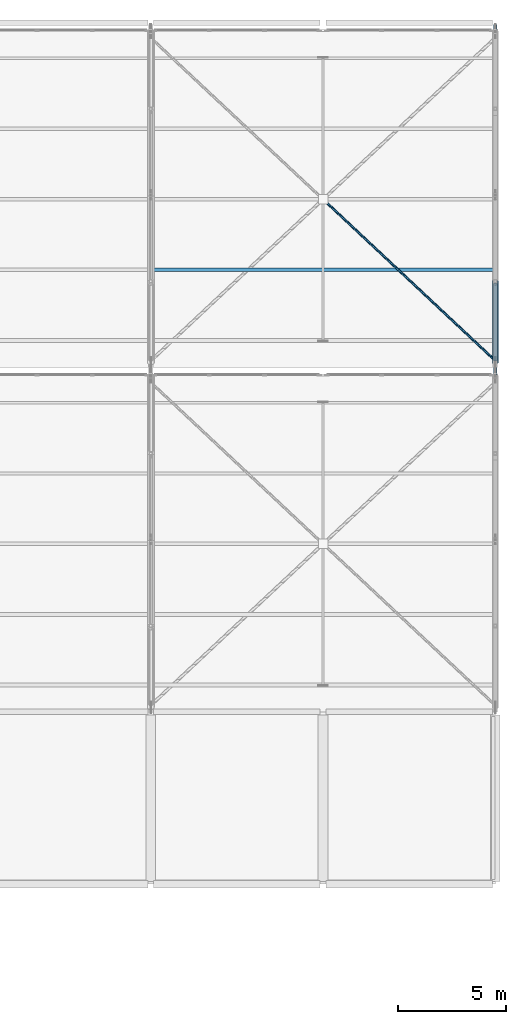
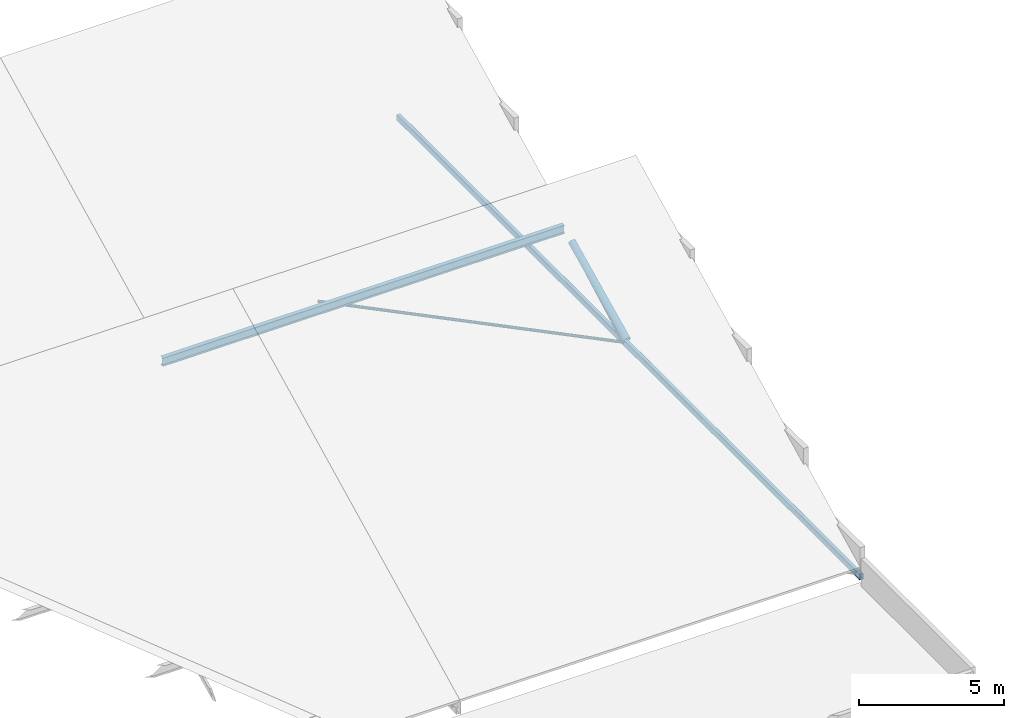
# One storey, part 86 of 137: 4 members, 1 beam.
"""IFC4 building model written with IfcOpenShell, lengths in metres."""

from ifc_helpers import new_model, si_unit, direction, frame, origin, origin_2d, place, context, subcontext, project, spatial, hollow_rectangle, hollow_circle, i_section, extrude, material, material_profile, profile_set, type_object, element, save


model = new_model("IFC4")

# Units and contexts
model_context = context("Model", 3, precision=1e-05, world=origin(), true_north=direction((0.0, 1.0)))
body_context = subcontext(model_context, "Body", "Model", "MODEL_VIEW")
ifc_project = project(units=[si_unit("LENGTHUNIT", "METRE"), si_unit("AREAUNIT", "SQUARE_METRE"), si_unit("VOLUMEUNIT", "CUBIC_METRE"), si_unit("PLANEANGLEUNIT", "RADIAN"), si_unit("MASSUNIT", "GRAM", prefix="KILO")], contexts=[model_context])

# Site, building, storey
site_placement = place(None, origin())
site = spatial("IfcSite", under=ifc_project, at=site_placement, CompositionType="ELEMENT")
building_placement = place(site_placement, origin())
building = spatial("IfcBuilding", under=site, at=building_placement, Name="Jelvoka-Kovrelna Polytechnic", CompositionType="ELEMENT")
storey_placement = place(building_placement, frame((0.0, 0.0, 9.60009765625)))
storey = spatial("IfcBuildingStorey", under=building, at=storey_placement, Name="L03", CompositionType="ELEMENT", Elevation=9.60009765625)

# Members
ifc_material_1 = material(Name="Structural steel S355J2H", Category="steel")
ifc_material_profile_1 = material_profile(ifc_material_1, hollow_circle(Radius=0.05712890625, WallThickness=0.00634765625, at=origin_2d()), Name="114.3x6.3 CHS")
ifc_profile_set_1 = profile_set([ifc_material_profile_1], Name="Structural steel S355J2H")
member_type_1 = type_object("IfcMemberType", Name="Member_Brace_CHS114", PredefinedType="BRACE", material=ifc_profile_set_1)
member_1_placement = place(storey_placement, frame((192.065673828125, 111.738525390625, 0.14990234375), z_axis=(0.729679522085, -0.683789291412, 0.0), x_axis=(0.683789291412, 0.729679522085, 0.0)))
element("IfcMember", 1, at=member_1_placement, inside=storey, type_object=member_type_1, Name="Sawtooth roof split X-brace half-diagonal 0230B", PredefinedType="BRACE", context=body_context, shape_type="SweptSolid", body=[
    extrude(hollow_circle(Radius=0.05712890625, WallThickness=0.00634765625, at=origin_2d()), origin(), (0.0, 0.0, 1.0), 10.80517578125),
])
ifc_material_2 = material(Name="Structural steel S355J2H", Category="steel")
ifc_material_profile_2 = material_profile(ifc_material_2, hollow_circle(Radius=0.109619140625, WallThickness=0.008056640625, at=origin_2d()), Name="219.1x8.0 CHS")
ifc_profile_set_2 = profile_set([ifc_material_profile_2], Name="Structural steel S355J2H")
member_type_2 = type_object("IfcMemberType", Name="Member_Brace_CHS219", PredefinedType="BRACE", material=ifc_profile_set_2)
member_2_placement = place(storey_placement, frame((200.0, 104.340087890625, 0.14990234375), z_axis=(0.0, 0.878084029324, 0.478506465418), x_axis=(-1.0, 0.0, 0.0)))
element("IfcMember", 2, at=member_2_placement, inside=storey, type_object=member_type_2, Name="Sawtooth truss 8 diagonal web 2.1", PredefinedType="BRACE", context=body_context, shape_type="SweptSolid", body=[
    extrude(hollow_circle(Radius=0.109619140625, WallThickness=0.008056640625, at=origin_2d()), origin(), (0.0, 0.0, 1.0), 4.0087890625),
])
ifc_material_3 = material(Name="Structural steel S355J2H", Category="steel")
ifc_material_profile_3 = material_profile(ifc_material_3, hollow_circle(Radius=0.136474609375, WallThickness=0.010009765625, at=origin_2d()), Name="273.0x10.0 CHS")
ifc_profile_set_3 = profile_set([ifc_material_profile_3], Name="Structural steel S355J2H")
member_type_3 = type_object("IfcMemberType", Name="Member_Chord_CHS273", PredefinedType="CHORD", material=ifc_profile_set_3)
member_3_placement = place(storey_placement, frame((200.0, 104.199951171875, 0.31640625), z_axis=(0.0, 0.900803851837, 0.434226231952), x_axis=(-1.0, 0.0, 0.0)))
element("IfcMember", 3, at=member_3_placement, inside=storey, type_object=member_type_3, Name="Sawtooth truss 8 top chord 2.1", PredefinedType="CHORD", context=body_context, shape_type="SweptSolid", body=[
    extrude(hollow_circle(Radius=0.136474609375, WallThickness=0.010009765625, at=origin_2d()), origin(), (0.0, 0.0, 1.0), 4.218505859375),
])
ifc_material_4 = material(Name="Structural steel S355J2H", Category="steel")
ifc_material_profile_4 = material_profile(ifc_material_4, hollow_rectangle(XDim=0.14990234375, YDim=0.25, WallThickness=0.010009765625, InnerFilletRadius=0.010009765625, OuterFilletRadius=0.014892578125, at=origin_2d()), Name="250x150x10.0 RHS")
ifc_profile_set_4 = profile_set([ifc_material_profile_4], Name="Structural steel S355J2H")
member_type_4 = type_object("IfcMemberType", Name="Member_Chord_RHS250", PredefinedType="CHORD", material=ifc_profile_set_4)
member_4_placement = place(storey_placement, frame((200.0, 88.080078125, 0.14990234375), z_axis=(0.0, 1.0, 0.0), x_axis=(-1.0, 0.0, 0.0)))
element("IfcMember", 4, at=member_4_placement, inside=storey, type_object=member_type_4, Name="Sawtooth truss 8 continuous bottom chord", PredefinedType="CHORD", context=body_context, shape_type="SweptSolid", body=[
    extrude(hollow_rectangle(XDim=0.14990234375, YDim=0.25, WallThickness=0.010009765625, InnerFilletRadius=0.010009765625, OuterFilletRadius=0.014892578125, at=origin_2d()), origin(), (0.0, 0.0, 1.0), 31.83984375),
])

# Beam
ifc_material_5 = material(Name="Structural steel S355JR", Category="steel")
ifc_material_profile_5 = material_profile(ifc_material_5, i_section(OverallWidth=0.17138671875, OverallDepth=0.35498046875, WebThickness=0.00732421875, FlangeThickness=0.011474609375, FilletRadius=0.01025390625, at=origin_2d()), Name="356x171x51 UB")
ifc_profile_set_5 = profile_set([ifc_material_profile_5], Name="Structural steel S355JR")
beam_type = type_object("IfcBeamType", Name="Purlin_Steel_UB356", PredefinedType="JOIST", material=ifc_profile_set_5)
beam_placement = place(storey_placement, frame((184.02001953125, 108.52392578125, 2.400634765625), z_axis=(1.0, 0.0, 0.0), x_axis=(0.0, 1.0, 0.0)))
element("IfcBeam", 5, at=beam_placement, inside=storey, type_object=beam_type, Name="Sawtooth roof purlin 067", PredefinedType="JOIST", context=body_context, shape_type="SweptSolid", body=[
    extrude(i_section(OverallWidth=0.17138671875, OverallDepth=0.35498046875, WebThickness=0.00732421875, FlangeThickness=0.011474609375, FilletRadius=0.01025390625, at=origin_2d()), origin(), (0.0, 0.0, 1.0), 15.9599609375),
])

save(model, "model.ifc")
